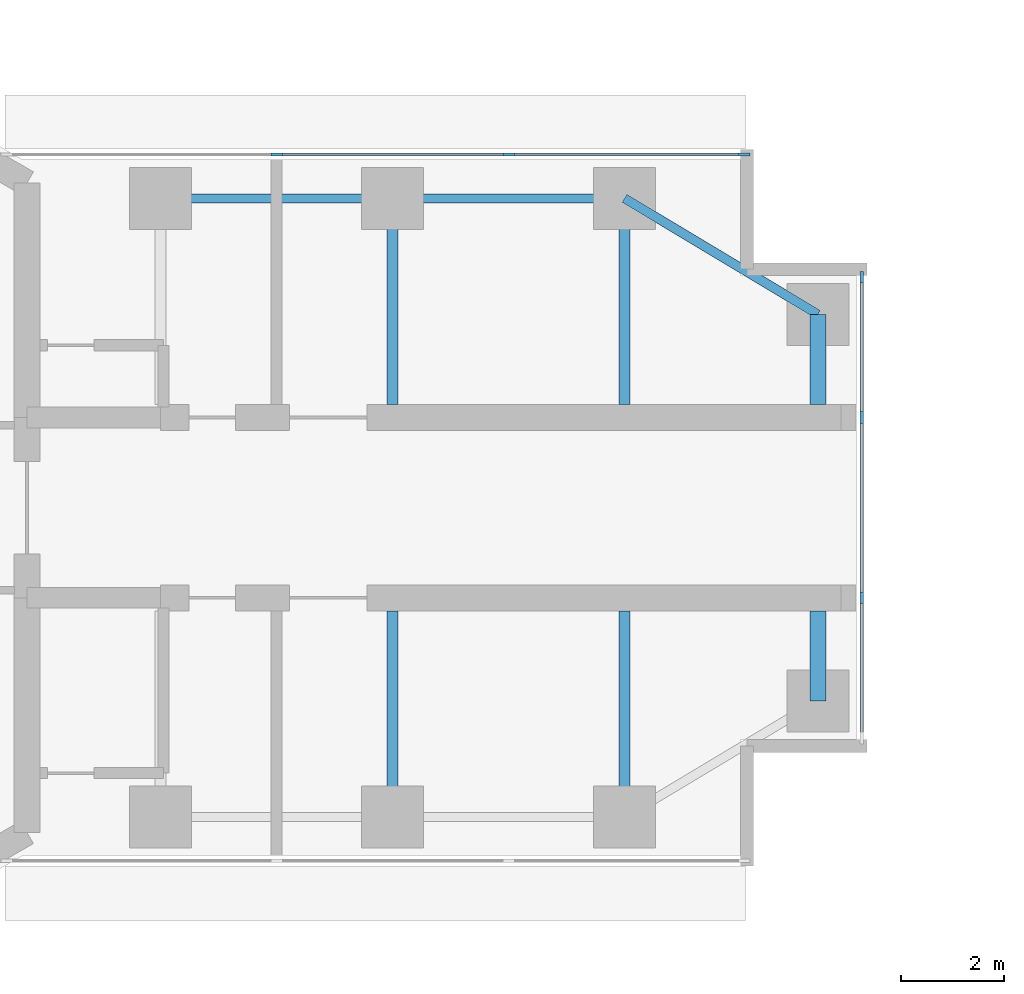
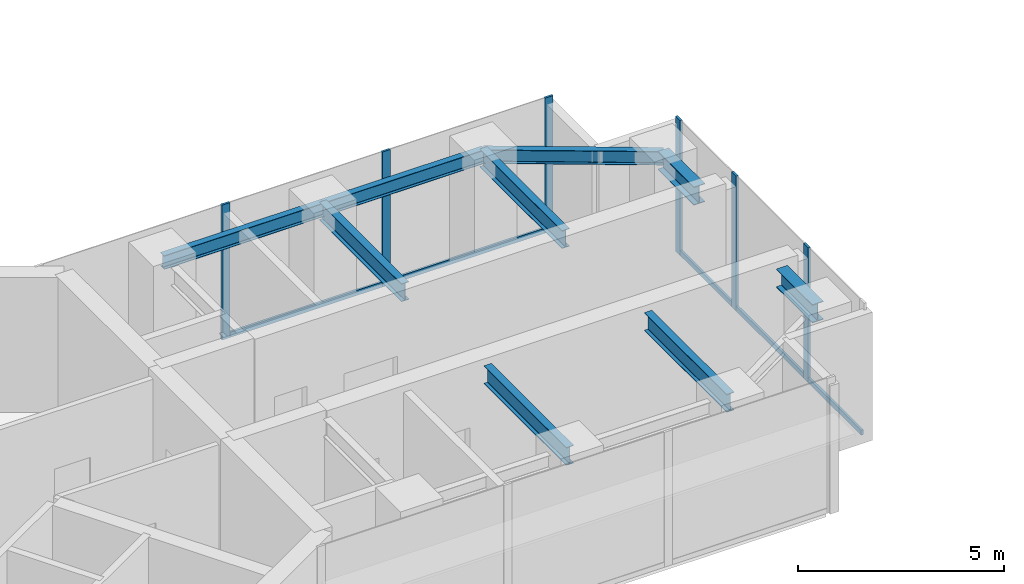
# One storey, part 7 of 17: 11 members, 9 beams, 2 elements without a shape of their own.
"""IFC4 building model written with IfcOpenShell, lengths in metres."""

from ifc_helpers import new_model, si_unit, direction, frame, origin, origin_2d, place, context, subcontext, project, spatial, rectangle, i_section, extrude, material, material_profile, profile_set, type_object, element, aggregate, save


model = new_model("IFC4")

# Units and contexts
model_context = context("Model", 3, precision=1e-05, world=origin(), true_north=direction((0.0, 1.0)))
body_context = subcontext(model_context, "Body", "Model", "MODEL_VIEW")
ifc_project = project(units=[si_unit("LENGTHUNIT", "METRE"), si_unit("AREAUNIT", "SQUARE_METRE"), si_unit("VOLUMEUNIT", "CUBIC_METRE"), si_unit("PLANEANGLEUNIT", "RADIAN"), si_unit("MASSUNIT", "GRAM", prefix="KILO")], contexts=[model_context])

# Site, building, storey
site_placement = place(None, origin())
site = spatial("IfcSite", under=ifc_project, at=site_placement, CompositionType="ELEMENT")
building_placement = place(site_placement, origin())
building = spatial("IfcBuilding", under=site, at=building_placement, Name="Upepo Twin Towers", CompositionType="ELEMENT")
storey_placement = place(building_placement, frame((0.0, 0.0, 178.5)))
storey = spatial("IfcBuildingStorey", under=building, at=storey_placement, Name="L43", CompositionType="ELEMENT", Elevation=178.5)

# Beams
ifc_material_1 = material(Name="Steel S355", Category="steel")
ifc_material_profile_1 = material_profile(ifc_material_1, i_section(OverallWidth=0.177978515625, OverallDepth=0.406494140625, WebThickness=0.0078125, FlangeThickness=0.0126953125, FilletRadius=0.01025390625, at=origin_2d()), Name="UB 406x178x60")
ifc_profile_set_1 = profile_set([ifc_material_profile_1], Name="Steel S355")
beam_type_1 = type_object("IfcBeamType", Name="Beam UB 406x178x60", PredefinedType="BEAM", material=ifc_profile_set_1)
for number, where, z_axis, x_axis, name in (
    (1, (13.5, 6.0, 3.5966796875), (1.0, 0.0, 0.0), (0.0, 1.0, 0.0), "T1 edge beam AL 13.5-18.0"),
    (2, (18.0, 6.0, 3.5966796875), (1.0, 0.0, 0.0), (0.0, 1.0, 0.0), "T1 edge beam AL 18.0-22.5"),
):
    element("IfcBeam", number, at=place(storey_placement, frame(where, z_axis=z_axis, x_axis=x_axis)), inside=storey, type_object=beam_type_1, Name=name, PredefinedType="BEAM", context=body_context, shape_type="SweptSolid", body=[
        extrude(i_section(OverallWidth=0.177978515625, OverallDepth=0.406494140625, WebThickness=0.0078125, FlangeThickness=0.0126953125, FilletRadius=0.01025390625, at=origin_2d()), origin(), (0.0, 0.0, 1.0), 4.5),
    ])
beam_placement = place(storey_placement, frame((22.5, 6.0, 3.5966796875), z_axis=(0.857492925713, -0.514495755428, 0.0), x_axis=(0.514495755428, 0.857492925713, 0.0)))
element("IfcBeam", 3, at=beam_placement, inside=storey, type_object=beam_type_1, Name="T1 nose edge beam AL", PredefinedType="BEAM", context=body_context, shape_type="SweptSolid", body=[
    extrude(i_section(OverallWidth=0.177978515625, OverallDepth=0.406494140625, WebThickness=0.0078125, FlangeThickness=0.0126953125, FilletRadius=0.01025390625, at=origin_2d()), origin(), (0.0, 0.0, 1.0), 4.373291015625),
])
ifc_material_2 = material(Name="Steel S355", Category="steel")
ifc_material_profile_2 = material_profile(ifc_material_2, i_section(OverallWidth=0.209228515625, OverallDepth=0.533203125, WebThickness=0.010009765625, FlangeThickness=0.015625, FilletRadius=0.0126953125, at=origin_2d()), Name="UB 533x210x92")
ifc_profile_set_2 = profile_set([ifc_material_profile_2], Name="Steel S355")
beam_type_2 = type_object("IfcBeamType", Name="Beam UB 533x210x92", PredefinedType="BEAM", material=ifc_profile_set_2)
for number, where, z_axis, x_axis, name in (
    (4, (18.0, 6.0, 3.533447265625), (0.0, -1.0, 0.0), (1.0, 0.0, 0.0), "T1 girder AL at 18.0"),
    (5, (22.5, 6.0, 3.533447265625), (0.0, -1.0, 0.0), (1.0, 0.0, 0.0), "T1 girder AL at 22.5"),
    (6, (18.0, -6.0, 3.533447265625), (0.0, 1.0, 0.0), (-1.0, 0.0, 0.0), "T1 girder AR at 18.0"),
    (7, (22.5, -6.0, 3.533447265625), (0.0, 1.0, 0.0), (-1.0, 0.0, 0.0), "T1 girder AR at 22.5"),
):
    element("IfcBeam", number, at=place(storey_placement, frame(where, z_axis=z_axis, x_axis=x_axis)), inside=storey, type_object=beam_type_2, Name=name, PredefinedType="BEAM", context=body_context, shape_type="SweptSolid", body=[
        extrude(i_section(OverallWidth=0.209228515625, OverallDepth=0.533203125, WebThickness=0.010009765625, FlangeThickness=0.015625, FilletRadius=0.0126953125, at=origin_2d()), origin(), (0.0, 0.0, 1.0), 4.0),
    ])
ifc_material_3 = material(Name="Steel S355", Category="steel")
ifc_material_profile_3 = material_profile(ifc_material_3, i_section(OverallWidth=0.31201171875, OverallDepth=0.54345703125, WebThickness=0.0126953125, FlangeThickness=0.020263671875, FilletRadius=0.0126953125, at=origin_2d()), Name="UB 533x312x150")
ifc_profile_set_3 = profile_set([ifc_material_profile_3], Name="Steel S355")
beam_type_3 = type_object("IfcBeamType", Name="Beam UB 533x312x150", PredefinedType="BEAM", material=ifc_profile_set_3)
for number, where, z_axis, x_axis, name in (
    (8, (26.25, 3.75, 3.5283203125), (0.0, -1.0, 0.0), (1.0, 0.0, 0.0), "T1 nose beam AL"),
    (9, (26.25, -3.75, 3.5283203125), (0.0, 1.0, 0.0), (-1.0, 0.0, 0.0), "T1 nose beam AR"),
):
    element("IfcBeam", number, at=place(storey_placement, frame(where, z_axis=z_axis, x_axis=x_axis)), inside=storey, type_object=beam_type_3, Name=name, PredefinedType="BEAM", context=body_context, shape_type="SweptSolid", body=[
        extrude(i_section(OverallWidth=0.31201171875, OverallDepth=0.54345703125, WebThickness=0.0126953125, FlangeThickness=0.020263671875, FilletRadius=0.0126953125, at=origin_2d()), origin(), (0.0, 0.0, 1.0), 1.75),
    ])

# Curtain wall, members
ifc_material_4 = material(Name="Aluminium and fritted glass", Category="aluminium")
curtain_wall_type = type_object("IfcCurtainWallType", Name="Tower curtain wall TW3, fritted glass", PredefinedType="NOTDEFINED", material=ifc_material_4)
curtain_wall_1_placement = place(storey_placement, origin())
curtain_wall_1 = element("IfcCurtainWall", 10, at=curtain_wall_1_placement, inside=storey, type_object=curtain_wall_type, Name="T1 L43 wing A flank L curtain wall", PredefinedType="NOTDEFINED")
ifc_material_5 = material(Name="Aluminium mullion", Category="aluminium")
ifc_material_profile_4 = material_profile(ifc_material_5, rectangle(XDim=0.06494140625, YDim=0.22509765625, at=origin_2d()), Name="MULLION 65x225")
ifc_profile_set_4 = profile_set([ifc_material_profile_4], Name="Aluminium mullion")
member_type_1 = type_object("IfcMemberType", Name="Mullion 65x225 TW3", PredefinedType="MULLION", material=ifc_profile_set_4)
member_1_placement = place(storey_placement, frame((15.75, 6.85009765625, 0.0), z_axis=(0.0, 0.0, 1.0), x_axis=(0.0, 1.0, 0.0)))
member_1 = element("IfcMember", 11, at=member_1_placement, type_object=member_type_1, Name="T1 L43 wing A flank L curtain wall mullion 2", PredefinedType="MULLION", context=body_context, shape_type="SweptSolid", body=[
    extrude(rectangle(XDim=0.06494140625, YDim=0.22509765625, at=origin_2d()), origin(), (0.0, 0.0, 1.0), 4.0),
])
member_2_placement = place(storey_placement, frame((20.25, 6.85009765625, 0.0), z_axis=(0.0, 0.0, 1.0), x_axis=(0.0, 1.0, 0.0)))
member_2 = element("IfcMember", 12, at=member_2_placement, type_object=member_type_1, Name="T1 L43 wing A flank L curtain wall mullion 3", PredefinedType="MULLION", context=body_context, shape_type="SweptSolid", body=[
    extrude(rectangle(XDim=0.06494140625, YDim=0.22509765625, at=origin_2d()), origin(), (0.0, 0.0, 1.0), 4.0),
])
member_3_placement = place(storey_placement, frame((24.8173828125, 6.85009765625, 0.0), z_axis=(0.0, 0.0, 1.0), x_axis=(0.0, 1.0, 0.0)))
member_3 = element("IfcMember", 13, at=member_3_placement, type_object=member_type_1, Name="T1 L43 wing A flank L curtain wall mullion 4", PredefinedType="MULLION", context=body_context, shape_type="SweptSolid", body=[
    extrude(rectangle(XDim=0.06494140625, YDim=0.22509765625, at=origin_2d()), origin(), (0.0, 0.0, 1.0), 4.0),
])

curtain_wall_2_placement = place(storey_placement, origin())
curtain_wall_2 = element("IfcCurtainWall", 14, at=curtain_wall_2_placement, inside=storey, type_object=curtain_wall_type, Name="T1 L43 wing A nose curtain wall", PredefinedType="NOTDEFINED")
member_4_placement = place(storey_placement, frame((27.10009765625, -1.75, 0.0), z_axis=(0.0, 0.0, 1.0), x_axis=(-1.0, 0.0, 0.0)))
member_4 = element("IfcMember", 15, at=member_4_placement, type_object=member_type_1, Name="T1 L43 wing A nose curtain wall mullion 2", PredefinedType="MULLION", context=body_context, shape_type="SweptSolid", body=[
    extrude(rectangle(XDim=0.06494140625, YDim=0.22509765625, at=origin_2d()), origin(), (0.0, 0.0, 1.0), 4.0),
])
member_5_placement = place(storey_placement, frame((27.10009765625, 1.75, 0.0), z_axis=(0.0, 0.0, 1.0), x_axis=(-1.0, 0.0, 0.0)))
member_5 = element("IfcMember", 16, at=member_5_placement, type_object=member_type_1, Name="T1 L43 wing A nose curtain wall mullion 3", PredefinedType="MULLION", context=body_context, shape_type="SweptSolid", body=[
    extrude(rectangle(XDim=0.06494140625, YDim=0.22509765625, at=origin_2d()), origin(), (0.0, 0.0, 1.0), 4.0),
])
member_6_placement = place(storey_placement, frame((27.10009765625, 4.467529296875, 0.0), z_axis=(0.0, 0.0, 1.0), x_axis=(-1.0, 0.0, 0.0)))
member_6 = element("IfcMember", 17, at=member_6_placement, type_object=member_type_1, Name="T1 L43 wing A nose curtain wall mullion 4", PredefinedType="MULLION", context=body_context, shape_type="SweptSolid", body=[
    extrude(rectangle(XDim=0.06494140625, YDim=0.22509765625, at=origin_2d()), origin(), (0.0, 0.0, 1.0), 4.0),
])

# Member
ifc_material_6 = material(Name="Aluminium transom", Category="aluminium")
ifc_material_profile_5 = material_profile(ifc_material_6, rectangle(XDim=0.06494140625, YDim=0.14990234375, at=origin_2d()), Name="TRANSOM 65x150")
ifc_profile_set_5 = profile_set([ifc_material_profile_5], Name="Aluminium transom")
member_type_2 = type_object("IfcMemberType", Name="Transom 65x150 TW3", PredefinedType="USERDEFINED", material=ifc_profile_set_5)
member_7_placement = place(storey_placement, frame((15.782470703125, 6.85009765625, 0.074951171875), z_axis=(1.0, 0.0, 0.0), x_axis=(0.0, 1.0, 0.0)))
member_7 = element("IfcMember", 18, at=member_7_placement, type_object=member_type_2, Name="T1 L43 wing A flank L curtain wall transom 2", ObjectType="TRANSOM", PredefinedType="USERDEFINED", context=body_context, shape_type="SweptSolid", body=[
    extrude(rectangle(XDim=0.06494140625, YDim=0.14990234375, at=origin_2d()), origin(), (0.0, 0.0, 1.0), 4.43505859375),
])

member_8_placement = place(storey_placement, frame((20.282470703125, 6.85009765625, 0.074951171875), z_axis=(1.0, 0.0, 0.0), x_axis=(0.0, 1.0, 0.0)))
member_8 = element("IfcMember", 19, at=member_8_placement, type_object=member_type_2, Name="T1 L43 wing A flank L curtain wall transom 3", ObjectType="TRANSOM", PredefinedType="USERDEFINED", context=body_context, shape_type="SweptSolid", body=[
    extrude(rectangle(XDim=0.06494140625, YDim=0.14990234375, at=origin_2d()), origin(), (0.0, 0.0, 1.0), 4.50244140625),
])

aggregate(curtain_wall_1, [member_1, member_2, member_3, member_7, member_8])

member_9_placement = place(storey_placement, frame((27.10009765625, -4.43505859375, 0.074951171875), z_axis=(0.0, 1.0, 0.0), x_axis=(-1.0, 0.0, 0.0)))
member_9 = element("IfcMember", 20, at=member_9_placement, type_object=member_type_2, Name="T1 L43 wing A nose curtain wall transom 1", ObjectType="TRANSOM", PredefinedType="USERDEFINED", context=body_context, shape_type="SweptSolid", body=[
    extrude(rectangle(XDim=0.06494140625, YDim=0.14990234375, at=origin_2d()), origin(), (0.0, 0.0, 1.0), 2.652587890625),
])

member_10_placement = place(storey_placement, frame((27.10009765625, -1.717529296875, 0.074951171875), z_axis=(0.0, 1.0, 0.0), x_axis=(-1.0, 0.0, 0.0)))
member_10 = element("IfcMember", 21, at=member_10_placement, type_object=member_type_2, Name="T1 L43 wing A nose curtain wall transom 2", ObjectType="TRANSOM", PredefinedType="USERDEFINED", context=body_context, shape_type="SweptSolid", body=[
    extrude(rectangle(XDim=0.06494140625, YDim=0.14990234375, at=origin_2d()), origin(), (0.0, 0.0, 1.0), 3.43505859375),
])

member_11_placement = place(storey_placement, frame((27.10009765625, 1.782470703125, 0.074951171875), z_axis=(0.0, 1.0, 0.0), x_axis=(-1.0, 0.0, 0.0)))
member_11 = element("IfcMember", 22, at=member_11_placement, type_object=member_type_2, Name="T1 L43 wing A nose curtain wall transom 3", ObjectType="TRANSOM", PredefinedType="USERDEFINED", context=body_context, shape_type="SweptSolid", body=[
    extrude(rectangle(XDim=0.06494140625, YDim=0.14990234375, at=origin_2d()), origin(), (0.0, 0.0, 1.0), 2.652587890625),
])

aggregate(curtain_wall_2, [member_4, member_5, member_6, member_9, member_10, member_11])

save(model, "model.ifc")
